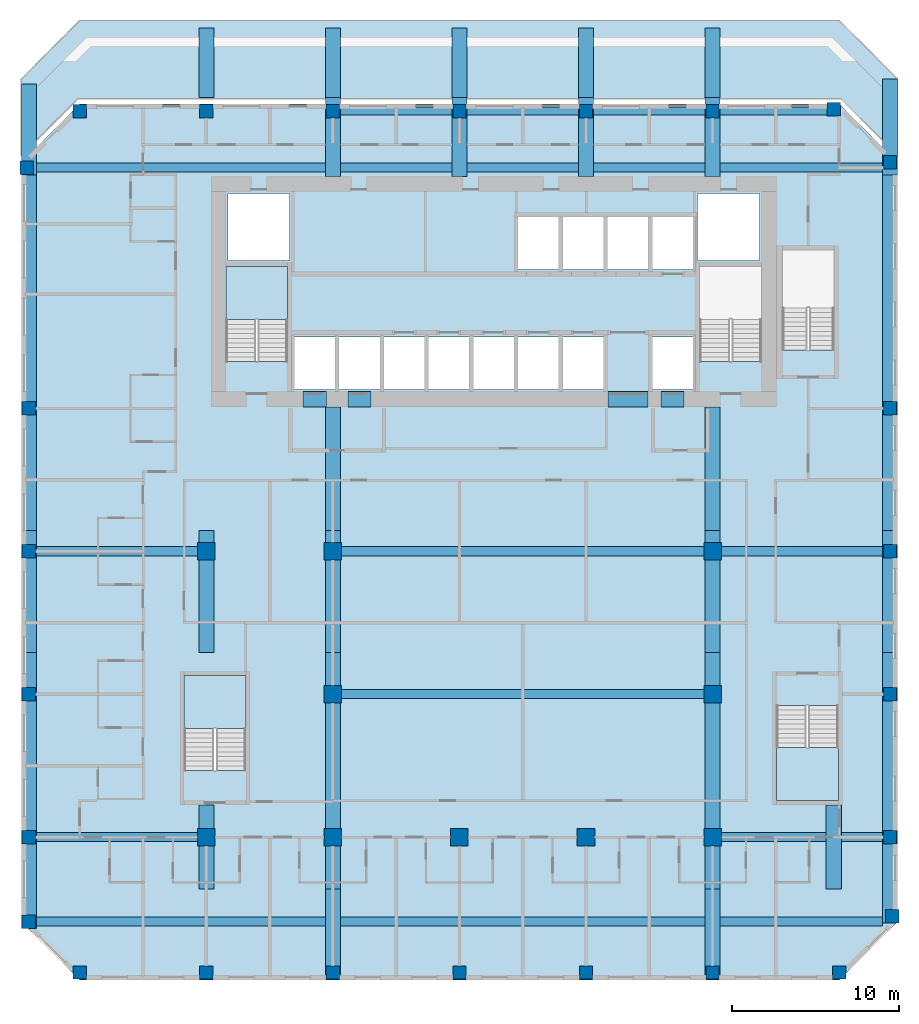
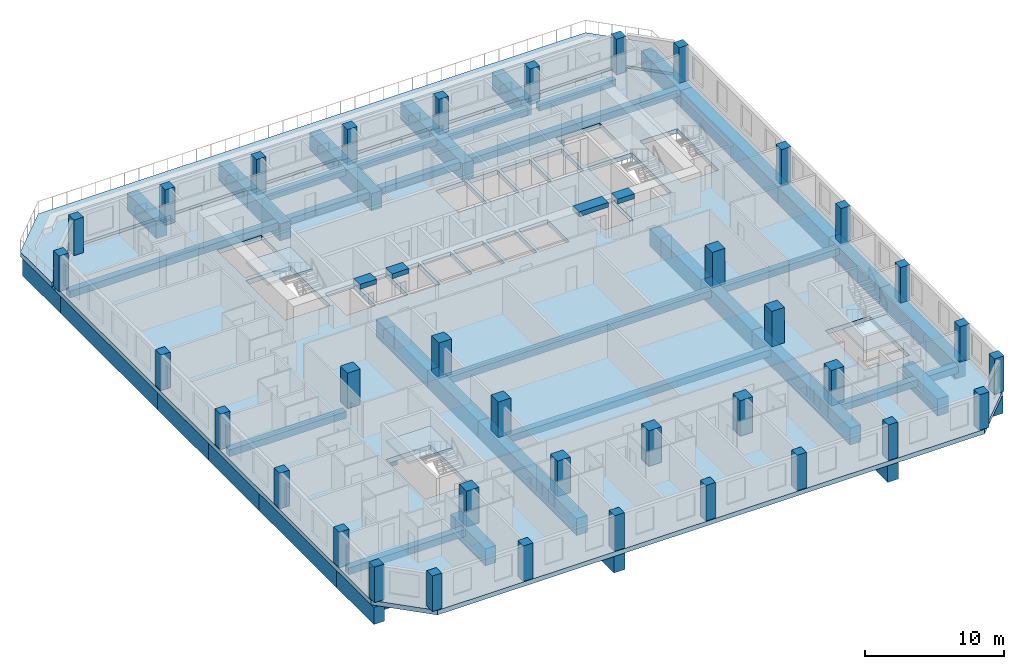
# One storey, part 1 of 16: 48 beams, 36 columns, 5 slabs, 3 elements without a shape of their own.
"""IFC4 building model written with IfcOpenShell, lengths in metres."""

from ifc_helpers import new_model, si_unit, direction, frame, origin, origin_2d, place, context, subcontext, project, spatial, polyline, rectangle, outline, extrude, source, transform, mapped, material, layer, layer_set, material_profile, profile_set, type_object, element, aggregate, save


model = new_model("IFC4")

# Units and contexts
model_context = context("Model", 3, precision=1e-05, world=origin(), true_north=direction((0.0, 1.0)))
body_context = subcontext(model_context, "Body", "Model", "MODEL_VIEW")
ifc_project = project(units=[si_unit("LENGTHUNIT", "METRE"), si_unit("AREAUNIT", "SQUARE_METRE"), si_unit("VOLUMEUNIT", "CUBIC_METRE"), si_unit("PLANEANGLEUNIT", "RADIAN"), si_unit("MASSUNIT", "GRAM", prefix="KILO")], contexts=[model_context])

# Site, building, storey
site_placement = place(None, origin())
site = spatial("IfcSite", under=ifc_project, at=site_placement, CompositionType="ELEMENT")
building_placement = place(site_placement, origin())
building = spatial("IfcBuilding", under=site, at=building_placement, Name="Kilnfold Tower and Market Hall", CompositionType="ELEMENT")
storey_placement = place(building_placement, frame((0.0, 0.0, 168.5)))
storey = spatial("IfcBuildingStorey", under=building, at=storey_placement, Name="L39", CompositionType="ELEMENT", Elevation=168.5)

# Columns
ifc_material_1 = material(Name="Concrete C70", Category="concrete")
ifc_material_profile_1 = material_profile(ifc_material_1, rectangle(XDim=0.800048828125, YDim=0.800048828125, at=origin_2d()), Name="RC 800x800")
ifc_profile_set_1 = profile_set([ifc_material_profile_1], Name="Concrete C70")
column_type_1 = type_object("IfcColumnType", Name="COLUMN 800X800 C70", PredefinedType="COLUMN", material=ifc_profile_set_1)
shared_shape_1 = source(origin(), body_context, "Body", "SweptSolid", [
    extrude(rectangle(XDim=0.800048828125, YDim=0.800048828125, at=origin_2d()), origin(), (0.0, 0.0, 1.0), 3.1201171875),
])
for number, where, z_axis, x_axis, name in (
    (1, (-26.931884765625, 22.431884765625, 0.0), (0.0, 0.0, 1.0), (1.0, 0.0, 0.0), "Column C-B5-1H"),
    (2, (-26.800048828125, -22.75, 0.0), (0.0, 0.0, 1.0), (1.0, 0.0, 0.0), "Column C-B5-1B"),
    (3, (-26.800048828125, -17.6875, 0.0), (0.0, 0.0, 1.0), (1.0, 0.0, 0.0), "Column C-B5-1C"),
    (4, (-26.800048828125, -9.125, 0.0), (0.0, 0.0, 1.0), (1.0, 0.0, 0.0), "Column C-B5-1D"),
    (5, (-26.800048828125, -0.5625, 0.0), (0.0, 0.0, 1.0), (1.0, 0.0, 0.0), "Column C-B5-1E"),
    (6, (-26.800048828125, 8.0, 0.0), (0.0, 0.0, 1.0), (1.0, 0.0, 0.0), "Column C-B5-1F"),
    (7, (-23.75, -25.800048828125, 0.0), (0.0, 0.0, 1.0), (1.0, 0.0, 0.0), "Column C-B5-2A"),
    (8, (-23.75, 25.800048828125, 0.0), (0.0, 0.0, 1.0), (1.0, 0.0, 0.0), "Column C-B5-2I"),
    (9, (-16.166748046875, -25.800048828125, 0.0), (0.0, 0.0, 1.0), (1.0, 0.0, 0.0), "Column C-B5-3A"),
    (10, (-16.166748046875, 25.800048828125, 0.0), (0.0, 0.0, 1.0), (1.0, 0.0, 0.0), "Column C-B5-3I"),
    (11, (-8.583251953125, -25.800048828125, 0.0), (0.0, 0.0, 1.0), (1.0, 0.0, 0.0), "Column C-B5-4A"),
    (12, (-8.583251953125, 25.800048828125, 0.0), (0.0, 0.0, 1.0), (1.0, 0.0, 0.0), "Column C-B5-4I"),
    (13, (-1.0, -25.800048828125, 0.0), (0.0, 0.0, 1.0), (1.0, 0.0, 0.0), "Column C-B5-5A"),
    (14, (-1.0, 25.800048828125, 0.0), (0.0, 0.0, 1.0), (1.0, 0.0, 0.0), "Column C-B5-5I"),
    (15, (6.583251953125, -25.800048828125, 0.0), (0.0, 0.0, 1.0), (1.0, 0.0, 0.0), "Column C-B5-6A"),
    (16, (6.583251953125, 25.800048828125, 0.0), (0.0, 0.0, 1.0), (1.0, 0.0, 0.0), "Column C-B5-6I"),
    (17, (14.166748046875, -25.800048828125, 0.0), (0.0, 0.0, 1.0), (1.0, 0.0, 0.0), "Column C-B5-7A"),
    (18, (14.166748046875, 25.800048828125, 0.0), (0.0, 0.0, 1.0), (1.0, 0.0, 0.0), "Column C-B5-7I"),
    (19, (21.431884765625, 25.931884765625, 0.0), (0.0, 0.0, 1.0), (1.0, 0.0, 0.0), "Column C-B5-8I"),
    (20, (21.75, -25.800048828125, 0.0), (0.0, 0.0, 1.0), (1.0, 0.0, 0.0), "Column C-B5-8A"),
    (21, (24.800048828125, -17.6875, 0.0), (0.0, 0.0, 1.0), (1.0, 0.0, 0.0), "Column C-B5-9C"),
    (22, (24.800048828125, -9.125, 0.0), (0.0, 0.0, 1.0), (1.0, 0.0, 0.0), "Column C-B5-9D"),
    (23, (24.800048828125, -0.5625, 0.0), (0.0, 0.0, 1.0), (1.0, 0.0, 0.0), "Column C-B5-9E"),
    (24, (24.800048828125, 8.0, 0.0), (0.0, 0.0, 1.0), (1.0, 0.0, 0.0), "Column C-B5-9F"),
    (25, (24.800048828125, 22.75, 0.0), (0.0, 0.0, 1.0), (1.0, 0.0, 0.0), "Column C-B5-9H"),
    (26, (24.931884765625, -22.431884765625, 0.0), (0.0, 0.0, 1.0), (1.0, 0.0, 0.0), "Column C-B5-9B"),
):
    element("IfcColumn", number, at=place(storey_placement, frame(where, z_axis=z_axis, x_axis=x_axis)), inside=storey, type_object=column_type_1, Name=name, PredefinedType="COLUMN", context=body_context, shape_type="MappedRepresentation", body=[
        mapped(shared_shape_1, transform((0.0, 0.0, 0.0))),
    ])
ifc_material_2 = material(Name="Concrete C70", Category="concrete")
ifc_material_profile_2 = material_profile(ifc_material_2, rectangle(XDim=1.050048828125, YDim=1.050048828125, at=origin_2d()), Name="RC 1050x1050")
ifc_profile_set_2 = profile_set([ifc_material_profile_2], Name="Concrete C70")
column_type_2 = type_object("IfcColumnType", Name="COLUMN 1050X1050 C70", PredefinedType="COLUMN", material=ifc_profile_set_2)
shared_shape_2 = source(origin(), body_context, "Body", "SweptSolid", [
    extrude(rectangle(XDim=1.050048828125, YDim=1.050048828125, at=origin_2d()), origin(), (0.0, 0.0, 1.0), 3.1201171875),
])
for number, where, z_axis, x_axis, name in (
    (27, (-16.166748046875, -17.6875, 0.0), (0.0, 0.0, 1.0), (1.0, 0.0, 0.0), "Column C-B5-3C"),
    (28, (-16.166748046875, -0.5625, 0.0), (0.0, 0.0, 1.0), (1.0, 0.0, 0.0), "Column C-B5-3E"),
    (29, (-8.583251953125, -17.6875, 0.0), (0.0, 0.0, 1.0), (1.0, 0.0, 0.0), "Column C-B5-4C"),
    (30, (-8.583251953125, -9.125, 0.0), (0.0, 0.0, 1.0), (1.0, 0.0, 0.0), "Column C-B5-4D"),
    (31, (-8.583251953125, -0.5625, 0.0), (0.0, 0.0, 1.0), (1.0, 0.0, 0.0), "Column C-B5-4E"),
    (32, (-1.0, -17.6875, 0.0), (0.0, 0.0, 1.0), (1.0, 0.0, 0.0), "Column C-B5-5C"),
    (33, (6.583251953125, -17.6875, 0.0), (0.0, 0.0, 1.0), (1.0, 0.0, 0.0), "Column C-B5-6C"),
    (34, (14.166748046875, -17.6875, 0.0), (0.0, 0.0, 1.0), (1.0, 0.0, 0.0), "Column C-B5-7C"),
    (35, (14.166748046875, -9.125, 0.0), (0.0, 0.0, 1.0), (1.0, 0.0, 0.0), "Column C-B5-7D"),
    (36, (14.166748046875, -0.5625, 0.0), (0.0, 0.0, 1.0), (1.0, 0.0, 0.0), "Column C-B5-7E"),
):
    element("IfcColumn", number, at=place(storey_placement, frame(where, z_axis=z_axis, x_axis=x_axis)), inside=storey, type_object=column_type_2, Name=name, PredefinedType="COLUMN", context=body_context, shape_type="MappedRepresentation", body=[
        mapped(shared_shape_2, transform((0.0, 0.0, 0.0))),
    ])

# Beams
ifc_material_3 = material(Name="Concrete C60", Category="concrete")
ifc_material_profile_3 = material_profile(ifc_material_3, rectangle(XDim=0.89990234375, YDim=1.5, at=origin_2d()), Name="RC 900x1500")
ifc_profile_set_3 = profile_set([ifc_material_profile_3], Name="Concrete C60")
beam_type_1 = type_object("IfcBeamType", Name="TRANSFER GIRDER 900X1500 C60", PredefinedType="BEAM", material=ifc_profile_set_3)
shared_shape_3 = source(origin(), body_context, "Body", "SweptSolid", [
    extrude(rectangle(XDim=0.89990234375, YDim=1.5, at=origin_2d()), origin(), (0.0, 0.0, 1.0), 14.0),
])
for number, where, z_axis, x_axis, name in (
    (37, (-26.800048828125, 8.0, -1.14990234375), (0.0, 1.0, 0.0), (-1.0, 0.0, 0.0), "Beam TG1500-B5.5"),
    (38, (24.800048828125, 8.0, -1.14990234375), (0.0, 1.0, 0.0), (-1.0, 0.0, 0.0), "Beam TG1500-B5.31"),
):
    element("IfcBeam", number, at=place(storey_placement, frame(where, z_axis=z_axis, x_axis=x_axis)), inside=storey, type_object=beam_type_1, Name=name, PredefinedType="BEAM", context=body_context, shape_type="MappedRepresentation", body=[
        mapped(shared_shape_3, transform((0.0, 0.0, 0.0))),
    ])
ifc_material_4 = material(Name="Concrete C70", Category="concrete")
ifc_material_profile_4 = material_profile(ifc_material_4, rectangle(XDim=0.89990234375, YDim=0.419921875, at=origin_2d()), Name="RC 900x420")
ifc_profile_set_4 = profile_set([ifc_material_profile_4], Name="Concrete C70")
beam_type_2 = type_object("IfcBeamType", Name="COUPLING BEAM 900X420 C70", PredefinedType="BEAM", material=ifc_profile_set_4)
shared_shape_4 = source(origin(), body_context, "Body", "SweptSolid", [
    extrude(rectangle(XDim=0.89990234375, YDim=0.419921875, at=origin_2d()), origin(), (0.0, 0.0, 1.0), 1.400146484375),
])
beam_1_placement = place(storey_placement, frame((-10.3701171875, 8.550048828125, 2.909912109375), z_axis=(1.0, 0.0, 0.0), x_axis=(0.0, 1.0, 0.0)))
element("IfcBeam", 39, at=beam_1_placement, inside=storey, type_object=beam_type_2, Name="Coupling beam CB420-70-CORE.37", PredefinedType="BEAM", context=body_context, shape_type="MappedRepresentation", body=[
    mapped(shared_shape_4, transform((0.0, 0.0, 0.0))),
])
shared_shape_5 = source(origin(), body_context, "Body", "SweptSolid", [
    extrude(rectangle(XDim=0.89990234375, YDim=0.419921875, at=origin_2d()), origin(), (0.0, 0.0, 1.0), 1.39990234375),
])
for number, where, z_axis, x_axis, name in (
    (40, (-7.68994140625, 8.550048828125, 2.909912109375), (1.0, 0.0, 0.0), (0.0, 1.0, 0.0), "Coupling beam CB420-70-CORE.38"),
    (41, (11.070068359375, 8.550048828125, 2.909912109375), (1.0, 0.0, 0.0), (0.0, 1.0, 0.0), "Coupling beam CB420-70-CORE.40"),
):
    element("IfcBeam", number, at=place(storey_placement, frame(where, z_axis=z_axis, x_axis=x_axis)), inside=storey, type_object=beam_type_2, Name=name, PredefinedType="BEAM", context=body_context, shape_type="MappedRepresentation", body=[
        mapped(shared_shape_5, transform((0.0, 0.0, 0.0))),
    ])
shared_shape_6 = source(origin(), body_context, "Body", "SweptSolid", [
    extrude(rectangle(XDim=0.89990234375, YDim=0.419921875, at=origin_2d()), origin(), (0.0, 0.0, 1.0), 2.400146484375),
])
beam_2_placement = place(storey_placement, frame((7.889892578125, 8.550048828125, 2.909912109375), z_axis=(1.0, 0.0, 0.0), x_axis=(0.0, 1.0, 0.0)))
element("IfcBeam", 42, at=beam_2_placement, inside=storey, type_object=beam_type_2, Name="Coupling beam CB420-70-CORE.39", PredefinedType="BEAM", context=body_context, shape_type="MappedRepresentation", body=[
    mapped(shared_shape_6, transform((0.0, 0.0, 0.0))),
])
shared_shape_7 = source(origin(), body_context, "Body", "SweptSolid", [
    extrude(rectangle(XDim=0.89990234375, YDim=1.5, at=origin_2d()), origin(), (0.0, 0.0, 1.0), 5.39990234375),
])
for number, where, z_axis, x_axis, name in (
    (43, (-26.800048828125, -23.14990234375, -1.14990234375), (0.0, 1.0, 0.0), (-1.0, 0.0, 0.0), "Beam TG1500-B5.1"),
    (44, (-8.580078125, -26.199951171875, -1.14990234375), (0.0, 1.0, 0.0), (-1.0, 0.0, 0.0), "Beam TG1500-B5.10"),
    (45, (14.169921875, -26.199951171875, -1.14990234375), (0.0, 1.0, 0.0), (-1.0, 0.0, 0.0), "Beam TG1500-B5.20"),
    (46, (24.800048828125, -22.831787109375, -1.14990234375), (0.0, 1.0, 0.0), (-1.0, 0.0, 0.0), "Beam TG1500-B5.27"),
):
    element("IfcBeam", number, at=place(storey_placement, frame(where, z_axis=z_axis, x_axis=x_axis)), inside=storey, type_object=beam_type_1, Name=name, PredefinedType="BEAM", context=body_context, shape_type="MappedRepresentation", body=[
        mapped(shared_shape_7, transform((0.0, 0.0, 0.0))),
    ])
shared_shape_8 = source(origin(), body_context, "Body", "SweptSolid", [
    extrude(rectangle(XDim=0.89990234375, YDim=1.5, at=origin_2d()), origin(), (0.0, 0.0, 1.0), 11.125),
])
beam_3_placement = place(storey_placement, frame((-26.800048828125, -17.75, -1.14990234375), z_axis=(0.0, 1.0, 0.0), x_axis=(-1.0, 0.0, 0.0)))
element("IfcBeam", 47, at=beam_3_placement, inside=storey, type_object=beam_type_1, Name="Beam TG1500-B5.2", PredefinedType="BEAM", context=body_context, shape_type="MappedRepresentation", body=[
    mapped(shared_shape_8, transform((0.0, 0.0, 0.0))),
])
shared_shape_9 = source(origin(), body_context, "Body", "SweptSolid", [
    extrude(rectangle(XDim=0.89990234375, YDim=1.5, at=origin_2d()), origin(), (0.0, 0.0, 1.0), 7.3125),
])
for number, where, z_axis, x_axis, name in (
    (48, (-26.800048828125, -6.625, -1.14990234375), (0.0, 1.0, 0.0), (-1.0, 0.0, 0.0), "Beam TG1500-B5.3"),
    (49, (-26.800048828125, 0.6875, -1.14990234375), (0.0, 1.0, 0.0), (-1.0, 0.0, 0.0), "Beam TG1500-B5.4"),
    (50, (-16.169921875, -6.625, -1.14990234375), (0.0, 1.0, 0.0), (-1.0, 0.0, 0.0), "Beam TG1500-B5.8"),
    (51, (-8.580078125, -6.625, -1.14990234375), (0.0, 1.0, 0.0), (-1.0, 0.0, 0.0), "Beam TG1500-B5.12"),
    (52, (14.169921875, -6.625, -1.14990234375), (0.0, 1.0, 0.0), (-1.0, 0.0, 0.0), "Beam TG1500-B5.22"),
    (53, (24.800048828125, -6.625, -1.14990234375), (0.0, 1.0, 0.0), (-1.0, 0.0, 0.0), "Beam TG1500-B5.29"),
    (54, (24.800048828125, 0.6875, -1.14990234375), (0.0, 1.0, 0.0), (-1.0, 0.0, 0.0), "Beam TG1500-B5.30"),
):
    element("IfcBeam", number, at=place(storey_placement, frame(where, z_axis=z_axis, x_axis=x_axis)), inside=storey, type_object=beam_type_1, Name=name, PredefinedType="BEAM", context=body_context, shape_type="MappedRepresentation", body=[
        mapped(shared_shape_9, transform((0.0, 0.0, 0.0))),
    ])
shared_shape_10 = source(origin(), body_context, "Body", "SweptSolid", [
    extrude(rectangle(XDim=0.89990234375, YDim=1.5, at=origin_2d()), origin(), (0.0, 0.0, 1.0), 5.431884765625),
])
beam_4_placement = place(storey_placement, frame((-26.800048828125, 22.0, -1.14990234375), z_axis=(0.0, 1.0, 0.0), x_axis=(-1.0, 0.0, 0.0)))
element("IfcBeam", 55, at=beam_4_placement, inside=storey, type_object=beam_type_1, Name="Beam TG1500-B5.6", PredefinedType="BEAM", context=body_context, shape_type="MappedRepresentation", body=[
    mapped(shared_shape_10, transform((0.0, 0.0, 0.0))),
])
shared_shape_11 = source(origin(), body_context, "Body", "SweptSolid", [
    extrude(rectangle(XDim=0.89990234375, YDim=1.5, at=origin_2d()), origin(), (0.0, 0.0, 1.0), 5.050048828125),
])
for number, where, z_axis, x_axis, name in (
    (56, (-16.169921875, -20.800048828125, -1.14990234375), (0.0, 1.0, 0.0), (-1.0, 0.0, 0.0), "Beam TG1500-B5.7"),
    (57, (21.429931640625, -20.800048828125, -1.14990234375), (0.0, 1.0, 0.0), (-1.0, 0.0, 0.0), "Beam TG1500-B5.26"),
):
    element("IfcBeam", number, at=place(storey_placement, frame(where, z_axis=z_axis, x_axis=x_axis)), inside=storey, type_object=beam_type_1, Name=name, PredefinedType="BEAM", context=body_context, shape_type="MappedRepresentation", body=[
        mapped(shared_shape_11, transform((0.0, 0.0, 0.0))),
    ])
shared_shape_12 = source(origin(), body_context, "Body", "SweptSolid", [
    extrude(rectangle(XDim=0.89990234375, YDim=1.5, at=origin_2d()), origin(), (0.0, 0.0, 1.0), 4.175048828125),
])
for number, where, z_axis, x_axis, name in (
    (58, (-16.169921875, 26.625, -1.14990234375), (0.0, 1.0, 0.0), (-1.0, 0.0, 0.0), "Beam TG1500-B5.9"),
    (59, (-8.580078125, 26.625, -1.14990234375), (0.0, 1.0, 0.0), (-1.0, 0.0, 0.0), "Beam TG1500-B5.15"),
    (60, (-1.0, 26.625, -1.14990234375), (0.0, 1.0, 0.0), (-1.0, 0.0, 0.0), "Beam TG1500-B5.17"),
    (61, (6.580078125, 26.625, -1.14990234375), (0.0, 1.0, 0.0), (-1.0, 0.0, 0.0), "Beam TG1500-B5.19"),
    (62, (14.169921875, 26.625, -1.14990234375), (0.0, 1.0, 0.0), (-1.0, 0.0, 0.0), "Beam TG1500-B5.25"),
):
    element("IfcBeam", number, at=place(storey_placement, frame(where, z_axis=z_axis, x_axis=x_axis)), inside=storey, type_object=beam_type_1, Name=name, PredefinedType="BEAM", context=body_context, shape_type="MappedRepresentation", body=[
        mapped(shared_shape_12, transform((0.0, 0.0, 0.0))),
    ])
shared_shape_13 = source(origin(), body_context, "Body", "SweptSolid", [
    extrude(rectangle(XDim=0.89990234375, YDim=1.5, at=origin_2d()), origin(), (0.0, 0.0, 1.0), 14.175048828125),
])
for number, where, z_axis, x_axis, name in (
    (63, (-8.580078125, -20.800048828125, -1.14990234375), (0.0, 1.0, 0.0), (-1.0, 0.0, 0.0), "Beam TG1500-B5.11"),
    (64, (14.169921875, -20.800048828125, -1.14990234375), (0.0, 1.0, 0.0), (-1.0, 0.0, 0.0), "Beam TG1500-B5.21"),
):
    element("IfcBeam", number, at=place(storey_placement, frame(where, z_axis=z_axis, x_axis=x_axis)), inside=storey, type_object=beam_type_1, Name=name, PredefinedType="BEAM", context=body_context, shape_type="MappedRepresentation", body=[
        mapped(shared_shape_13, transform((0.0, 0.0, 0.0))),
    ])
shared_shape_14 = source(origin(), body_context, "Body", "SweptSolid", [
    extrude(rectangle(XDim=0.89990234375, YDim=1.5, at=origin_2d()), origin(), (0.0, 0.0, 1.0), 7.41259765625),
])
for number, where, z_axis, x_axis, name in (
    (65, (-8.580078125, 0.6875, -1.14990234375), (0.0, 1.0, 0.0), (-1.0, 0.0, 0.0), "Beam TG1500-B5.13"),
    (66, (14.169921875, 0.6875, -1.14990234375), (0.0, 1.0, 0.0), (-1.0, 0.0, 0.0), "Beam TG1500-B5.23"),
):
    element("IfcBeam", number, at=place(storey_placement, frame(where, z_axis=z_axis, x_axis=x_axis)), inside=storey, type_object=beam_type_1, Name=name, PredefinedType="BEAM", context=body_context, shape_type="MappedRepresentation", body=[
        mapped(shared_shape_14, transform((0.0, 0.0, 0.0))),
    ])
shared_shape_15 = source(origin(), body_context, "Body", "SweptSolid", [
    extrude(rectangle(XDim=0.89990234375, YDim=1.5, at=origin_2d()), origin(), (0.0, 0.0, 1.0), 4.72509765625),
])
for number, where, z_axis, x_axis, name in (
    (67, (-8.580078125, 21.89990234375, -1.14990234375), (0.0, 1.0, 0.0), (-1.0, 0.0, 0.0), "Beam TG1500-B5.14"),
    (68, (-1.0, 21.89990234375, -1.14990234375), (0.0, 1.0, 0.0), (-1.0, 0.0, 0.0), "Beam TG1500-B5.16"),
    (69, (6.580078125, 21.89990234375, -1.14990234375), (0.0, 1.0, 0.0), (-1.0, 0.0, 0.0), "Beam TG1500-B5.18"),
    (70, (14.169921875, 21.89990234375, -1.14990234375), (0.0, 1.0, 0.0), (-1.0, 0.0, 0.0), "Beam TG1500-B5.24"),
):
    element("IfcBeam", number, at=place(storey_placement, frame(where, z_axis=z_axis, x_axis=x_axis)), inside=storey, type_object=beam_type_1, Name=name, PredefinedType="BEAM", context=body_context, shape_type="MappedRepresentation", body=[
        mapped(shared_shape_15, transform((0.0, 0.0, 0.0))),
    ])
shared_shape_16 = source(origin(), body_context, "Body", "SweptSolid", [
    extrude(rectangle(XDim=0.89990234375, YDim=1.5, at=origin_2d()), origin(), (0.0, 0.0, 1.0), 10.806884765625),
])
beam_5_placement = place(storey_placement, frame((24.800048828125, -17.431884765625, -1.14990234375), z_axis=(0.0, 1.0, 0.0), x_axis=(-1.0, 0.0, 0.0)))
element("IfcBeam", 71, at=beam_5_placement, inside=storey, type_object=beam_type_1, Name="Beam TG1500-B5.28", PredefinedType="BEAM", context=body_context, shape_type="MappedRepresentation", body=[
    mapped(shared_shape_16, transform((0.0, 0.0, 0.0))),
])
shared_shape_17 = source(origin(), body_context, "Body", "SweptSolid", [
    extrude(rectangle(XDim=0.89990234375, YDim=1.5, at=origin_2d()), origin(), (0.0, 0.0, 1.0), 5.75),
])
beam_6_placement = place(storey_placement, frame((24.800048828125, 22.0, -1.14990234375), z_axis=(0.0, 1.0, 0.0), x_axis=(-1.0, 0.0, 0.0)))
element("IfcBeam", 72, at=beam_6_placement, inside=storey, type_object=beam_type_1, Name="Beam TG1500-B5.32", PredefinedType="BEAM", context=body_context, shape_type="MappedRepresentation", body=[
    mapped(shared_shape_17, transform((0.0, 0.0, 0.0))),
])
ifc_material_5 = material(Name="Concrete C45", Category="concrete")
ifc_material_profile_5 = material_profile(ifc_material_5, rectangle(XDim=0.550048828125, YDim=0.60009765625, at=origin_2d()), Name="RC 550x600")
ifc_profile_set_5 = profile_set([ifc_material_profile_5], Name="Concrete C45")
beam_type_3 = type_object("IfcBeamType", Name="BEAM 550X600 C45", PredefinedType="BEAM", material=ifc_profile_set_5)
shared_shape_18 = source(origin(), body_context, "Body", "SweptSolid", [
    extrude(rectangle(XDim=0.550048828125, YDim=0.60009765625, at=origin_2d()), origin(), (0.0, 0.0, 1.0), 50.7001953125),
])
for number, where, z_axis, x_axis, name in (
    (73, (-26.35009765625, -22.75, -0.699951171875), (1.0, 0.0, 0.0), (0.0, 1.0, 0.0), "Beam BB600-B5.33"),
    (74, (-26.35009765625, 22.429931640625, -0.699951171875), (1.0, 0.0, 0.0), (0.0, 1.0, 0.0), "Beam BB600-B5.40"),
):
    element("IfcBeam", number, at=place(storey_placement, frame(where, z_axis=z_axis, x_axis=x_axis)), inside=storey, type_object=beam_type_3, Name=name, PredefinedType="BEAM", context=body_context, shape_type="MappedRepresentation", body=[
        mapped(shared_shape_18, transform((0.0, 0.0, 0.0))),
    ])
shared_shape_19 = source(origin(), body_context, "Body", "SweptSolid", [
    extrude(rectangle(XDim=0.550048828125, YDim=0.60009765625, at=origin_2d()), origin(), (0.0, 0.0, 1.0), 9.72998046875),
])
for number, where, z_axis, x_axis, name in (
    (75, (-26.35009765625, -17.68994140625, -0.699951171875), (1.0, 0.0, 0.0), (0.0, 1.0, 0.0), "Beam BB600-B5.34"),
    (76, (14.6201171875, -17.68994140625, -0.699951171875), (1.0, 0.0, 0.0), (0.0, 1.0, 0.0), "Beam BB600-B5.35"),
    (77, (-26.35009765625, -0.56005859375, -0.699951171875), (1.0, 0.0, 0.0), (0.0, 1.0, 0.0), "Beam BB600-B5.37"),
    (78, (14.6201171875, -0.56005859375, -0.699951171875), (1.0, 0.0, 0.0), (0.0, 1.0, 0.0), "Beam BB600-B5.39"),
):
    element("IfcBeam", number, at=place(storey_placement, frame(where, z_axis=z_axis, x_axis=x_axis)), inside=storey, type_object=beam_type_3, Name=name, PredefinedType="BEAM", context=body_context, shape_type="MappedRepresentation", body=[
        mapped(shared_shape_19, transform((0.0, 0.0, 0.0))),
    ])
shared_shape_20 = source(origin(), body_context, "Body", "SweptSolid", [
    extrude(rectangle(XDim=0.550048828125, YDim=0.60009765625, at=origin_2d()), origin(), (0.0, 0.0, 1.0), 21.849853515625),
])
for number, where, z_axis, x_axis, name in (
    (79, (-8.1298828125, -9.1201171875, -0.699951171875), (1.0, 0.0, 0.0), (0.0, 1.0, 0.0), "Beam BB600-B5.36"),
    (80, (-8.1298828125, -0.56005859375, -0.699951171875), (1.0, 0.0, 0.0), (0.0, 1.0, 0.0), "Beam BB600-B5.38"),
):
    element("IfcBeam", number, at=place(storey_placement, frame(where, z_axis=z_axis, x_axis=x_axis)), inside=storey, type_object=beam_type_3, Name=name, PredefinedType="BEAM", context=body_context, shape_type="MappedRepresentation", body=[
        mapped(shared_shape_20, transform((0.0, 0.0, 0.0))),
    ])
ifc_material_6 = material(Name="Concrete C45", Category="concrete")
ifc_material_profile_6 = material_profile(ifc_material_6, rectangle(XDim=0.449951171875, YDim=0.60009765625, at=origin_2d()), Name="RC 450x600")
ifc_profile_set_6 = profile_set([ifc_material_profile_6], Name="Concrete C45")
beam_type_4 = type_object("IfcBeamType", Name="EDGE BEAM 450X600 C45", PredefinedType="BEAM", material=ifc_profile_set_6)
shared_shape_21 = source(origin(), body_context, "Body", "SweptSolid", [
    extrude(rectangle(XDim=0.449951171875, YDim=0.60009765625, at=origin_2d()), origin(), (0.0, 0.0, 1.0), 6.679931640625),
])
for number, where, z_axis, x_axis, name in (
    (81, (-8.1298828125, 25.800048828125, -0.699951171875), (1.0, 0.0, 0.0), (0.0, 1.0, 0.0), "Beam EB600-B5.41"),
    (82, (-0.550048828125, 25.800048828125, -0.699951171875), (1.0, 0.0, 0.0), (0.0, 1.0, 0.0), "Beam EB600-B5.42"),
):
    element("IfcBeam", number, at=place(storey_placement, frame(where, z_axis=z_axis, x_axis=x_axis)), inside=storey, type_object=beam_type_4, Name=name, PredefinedType="BEAM", context=body_context, shape_type="MappedRepresentation", body=[
        mapped(shared_shape_21, transform((0.0, 0.0, 0.0))),
    ])
shared_shape_22 = source(origin(), body_context, "Body", "SweptSolid", [
    extrude(rectangle(XDim=0.449951171875, YDim=0.60009765625, at=origin_2d()), origin(), (0.0, 0.0, 1.0), 6.68994140625),
])
beam_7_placement = place(storey_placement, frame((7.030029296875, 25.800048828125, -0.699951171875), z_axis=(1.0, 0.0, 0.0), x_axis=(0.0, 1.0, 0.0)))
element("IfcBeam", 83, at=beam_7_placement, inside=storey, type_object=beam_type_4, Name="Beam EB600-B5.43", PredefinedType="BEAM", context=body_context, shape_type="MappedRepresentation", body=[
    mapped(shared_shape_22, transform((0.0, 0.0, 0.0))),
])
shared_shape_23 = source(origin(), body_context, "Body", "SweptSolid", [
    extrude(rectangle(XDim=0.449951171875, YDim=0.60009765625, at=origin_2d()), origin(), (0.0, 0.0, 1.0), 6.41162109375),
])
beam_8_placement = place(storey_placement, frame((14.6201171875, 25.800048828125, -0.699951171875), z_axis=(1.0, 0.0, 0.0), x_axis=(0.0, 1.0, 0.0)))
element("IfcBeam", 84, at=beam_8_placement, inside=storey, type_object=beam_type_4, Name="Beam EB600-B5.44", PredefinedType="BEAM", context=body_context, shape_type="MappedRepresentation", body=[
    mapped(shared_shape_23, transform((0.0, 0.0, 0.0))),
])

# Slabs
ifc_material_7 = material(Name="Concrete C45", Category="concrete")
ifc_layer_1 = layer(ifc_material_7, 0.39990234375)
ifc_layer_set_1 = layer_set([ifc_layer_1], Name="Concrete C45")
slab_type_1 = type_object("IfcSlabType", Name="FLOOR SLAB 400", PredefinedType="FLOOR", material=ifc_layer_set_1)
shared_shape_24 = source(origin(), body_context, "Body", "SweptSolid", [
    extrude(outline(polyline([(-23.75, -26.25), (21.75, -26.25), (25.25, -22.75), (25.25, 22.75), (21.75, 26.25), (-23.75, 26.25), (-27.25, 22.75), (-27.25, -22.75), (-23.75, -26.25)]), holes=[polyline([(-13.800537109375, -13.699462890625), (-17.49951171875, -13.699462890625), (-17.49951171875, -8.00048828125), (-13.800537109375, -8.00048828125), (-13.800537109375, -13.699462890625)]), polyline([(-14.99951171875, 10.800537109375), (-14.99951171875, 16.49951171875), (-11.300537109375, 16.49951171875), (-11.300537109375, 10.800537109375), (-14.99951171875, 10.800537109375)]), polyline([(-11.175048828125, 16.875), (-14.875, 16.875), (-14.875, 20.875), (-11.175048828125, 20.875), (-11.175048828125, 16.875)]), polyline([(-8.455078125, 9.125), (-10.885009765625, 9.125), (-10.885009765625, 12.27490234375), (-8.455078125, 12.27490234375), (-8.455078125, 9.125)]), polyline([(-5.77490234375, 9.125), (-8.205078125, 9.125), (-8.205078125, 12.27490234375), (-5.77490234375, 12.27490234375), (-5.77490234375, 9.125)]), polyline([(-3.094970703125, 9.125), (-5.52490234375, 9.125), (-5.52490234375, 12.27490234375), (-3.094970703125, 12.27490234375), (-3.094970703125, 9.125)]), polyline([(-0.4150390625, 9.125), (-2.844970703125, 9.125), (-2.844970703125, 12.27490234375), (-0.4150390625, 12.27490234375), (-0.4150390625, 9.125)]), polyline([(2.264892578125, 9.125), (-0.1650390625, 9.125), (-0.1650390625, 12.27490234375), (2.264892578125, 12.27490234375), (2.264892578125, 9.125)]), polyline([(4.945068359375, 9.125), (2.514892578125, 9.125), (2.514892578125, 12.27490234375), (4.945068359375, 12.27490234375), (4.945068359375, 9.125)]), polyline([(2.514892578125, 16.324951171875), (2.514892578125, 19.47509765625), (4.945068359375, 19.47509765625), (4.945068359375, 16.324951171875), (2.514892578125, 16.324951171875)]), polyline([(7.625, 9.125), (5.195068359375, 9.125), (5.195068359375, 12.27490234375), (7.625, 12.27490234375), (7.625, 9.125)]), polyline([(7.625, 16.324951171875), (5.195068359375, 16.324951171875), (5.195068359375, 19.47509765625), (7.625, 19.47509765625), (7.625, 16.324951171875)]), polyline([(10.304931640625, 16.324951171875), (7.875, 16.324951171875), (7.875, 19.47509765625), (10.304931640625, 19.47509765625), (10.304931640625, 16.324951171875)]), polyline([(10.554931640625, 9.125), (10.554931640625, 12.27490234375), (12.985107421875, 12.27490234375), (12.985107421875, 9.125), (10.554931640625, 9.125)]), polyline([(10.554931640625, 16.324951171875), (10.554931640625, 19.47509765625), (12.985107421875, 19.47509765625), (12.985107421875, 16.324951171875), (10.554931640625, 16.324951171875)]), polyline([(13.27490234375, 16.875), (13.27490234375, 20.875), (16.97509765625, 20.875), (16.97509765625, 16.875), (13.27490234375, 16.875)]), polyline([(13.400390625, 10.800537109375), (13.400390625, 16.49951171875), (17.099609375, 16.49951171875), (17.099609375, 10.800537109375), (13.400390625, 10.800537109375)]), polyline([(18.00048828125, -9.800537109375), (21.699462890625, -9.800537109375), (21.699462890625, -15.49951171875), (18.00048828125, -15.49951171875), (18.00048828125, -9.800537109375)]), polyline([(21.449462890625, 11.50048828125), (18.3505859375, 11.50048828125), (18.3505859375, 17.49951171875), (21.449462890625, 17.49951171875), (21.449462890625, 11.50048828125)])]), origin(), (0.0, 0.0, 1.0), 0.400146484375),
])
slab_1_placement = place(storey_placement, frame((0.0, 0.0, -0.400146484375)))
element("IfcSlab", 85, at=slab_1_placement, inside=storey, type_object=slab_type_1, Name="Floor slab L39", PredefinedType="FLOOR", context=body_context, shape_type="MappedRepresentation", body=[
    mapped(shared_shape_24, transform((0.0, 0.0, 0.0))),
])
ifc_material_8 = material(Name="Concrete C40/50", Category="concrete")
ifc_layer_2 = layer(ifc_material_8, 0.39990234375)
ifc_layer_set_2 = layer_set([ifc_layer_2], Name="Concrete C40/50")
slab_type_2 = type_object("IfcSlabType", Name="TOWER TERRACE SLAB 400", PredefinedType="ROOF", material=ifc_layer_set_2)
shared_shape_25 = source(origin(), body_context, "Body", "SweptSolid", [
    extrude(outline(polyline([(-27.25, 27.75), (-23.75, 31.25), (21.75, 31.25), (25.25, 27.75), (25.25, 23.17431640625), (21.874267578125, 26.550048828125), (-23.874267578125, 26.550048828125), (-27.25, 23.17431640625), (-27.25, 27.75)])), origin(), (0.0, 0.0, 1.0), 0.39990234375),
])
slab_2_placement = place(storey_placement, frame((0.0, 0.0, -0.39990234375)))
element("IfcSlab", 86, at=slab_2_placement, inside=storey, type_object=slab_type_2, Name="Terrace slab L39 1", PredefinedType="ROOF", context=body_context, shape_type="MappedRepresentation", body=[
    mapped(shared_shape_25, transform((0.0, 0.0, 0.0))),
])

# Stair, slab
ifc_material_9 = material(Name="Concrete C40/50", Category="concrete")
stair_type = type_object("IfcStairType", Name="CORE STAIR 1800", PredefinedType="HALF_TURN_STAIR", material=ifc_material_9)
stair_1_placement = place(storey_placement, origin())
stair_1 = element("IfcStair", 87, at=stair_1_placement, inside=storey, type_object=stair_type, Name="L39 ST1", PredefinedType="HALF_TURN_STAIR")
ifc_material_10 = material(Name="Concrete C40/50", Category="concrete")
ifc_layer_3 = layer(ifc_material_10, 0.199951171875)
ifc_layer_set_3 = layer_set([ifc_layer_3], Name="Concrete C40/50")
slab_type_3 = type_object("IfcSlabType", Name="CORE STAIR LANDING 200", PredefinedType="LANDING", material=ifc_layer_set_3)
shared_shape_26 = source(origin(), body_context, "Body", "SweptSolid", [
    extrude(outline(polyline([(-11.300048828125, 13.320068359375), (-11.300048828125, 16.5), (-15.0, 16.5), (-15.0, 13.320068359375), (-11.300048828125, 13.320068359375)])), origin(), (0.0, 0.0, 1.0), 0.199951171875),
])
slab_3_placement = place(storey_placement, frame((0.0, 0.0, 1.5)))
slab_3 = element("IfcSlab", 88, at=slab_3_placement, type_object=slab_type_3, Name="ST1 landing 1", PredefinedType="LANDING", context=body_context, shape_type="MappedRepresentation", body=[
    mapped(shared_shape_26, transform((0.0, 0.0, 0.0))),
])
aggregate(stair_1, [slab_3])

stair_2_placement = place(storey_placement, origin())
stair_2 = element("IfcStair", 89, at=stair_2_placement, inside=storey, type_object=stair_type, Name="L39 ST3", PredefinedType="HALF_TURN_STAIR")
shared_shape_27 = source(origin(), body_context, "Body", "SweptSolid", [
    extrude(outline(polyline([(-13.800048828125, -11.179931640625), (-13.800048828125, -8.0), (-17.5, -8.0), (-17.5, -11.179931640625), (-13.800048828125, -11.179931640625)])), origin(), (0.0, 0.0, 1.0), 0.199951171875),
])
slab_4_placement = place(storey_placement, frame((0.0, 0.0, 1.5)))
slab_4 = element("IfcSlab", 90, at=slab_4_placement, type_object=slab_type_3, Name="ST3 landing 1", PredefinedType="LANDING", context=body_context, shape_type="MappedRepresentation", body=[
    mapped(shared_shape_27, transform((0.0, 0.0, 0.0))),
])
aggregate(stair_2, [slab_4])

stair_3_placement = place(storey_placement, origin())
stair_3 = element("IfcStair", 91, at=stair_3_placement, inside=storey, type_object=stair_type, Name="L39 ST4", PredefinedType="HALF_TURN_STAIR")
shared_shape_28 = source(origin(), body_context, "Body", "SweptSolid", [
    extrude(outline(polyline([(18.0, -12.320068359375), (18.0, -15.5), (21.699951171875, -15.5), (21.699951171875, -12.320068359375), (18.0, -12.320068359375)])), origin(), (0.0, 0.0, 1.0), 0.199951171875),
])
slab_5_placement = place(storey_placement, frame((0.0, 0.0, 1.5)))
slab_5 = element("IfcSlab", 92, at=slab_5_placement, type_object=slab_type_3, Name="ST4 landing 1", PredefinedType="LANDING", context=body_context, shape_type="MappedRepresentation", body=[
    mapped(shared_shape_28, transform((0.0, 0.0, 0.0))),
])
aggregate(stair_3, [slab_5])

save(model, "model.ifc")
